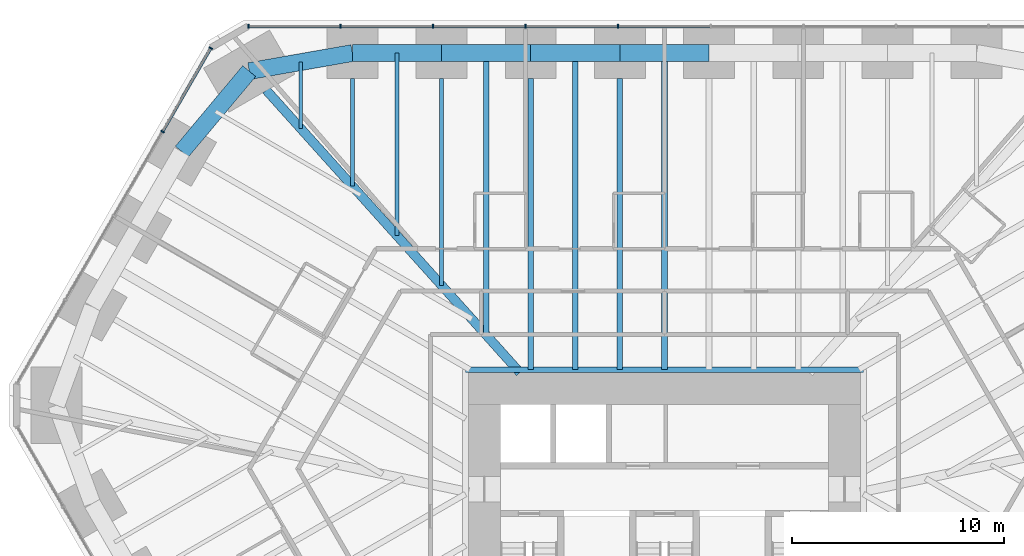
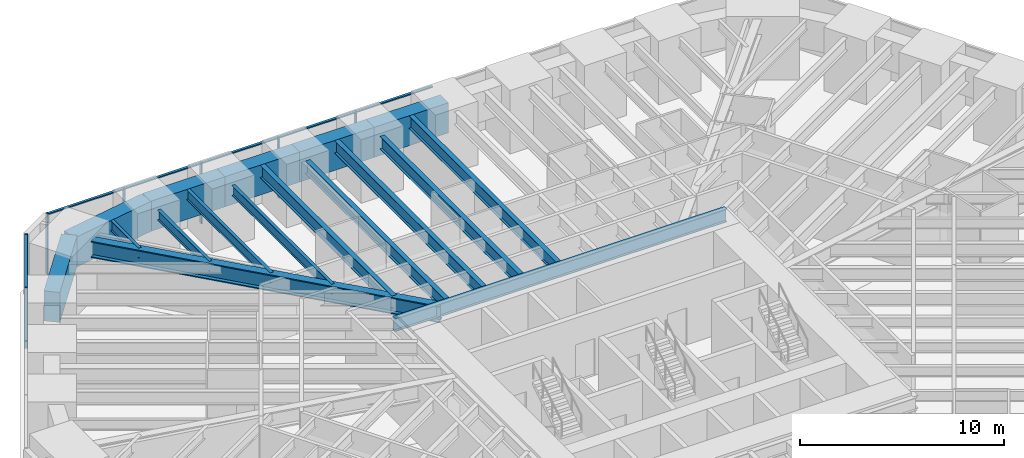
# One storey, part 8 of 17: 17 beams, 13 members, 2 elements without a shape of their own.
"""IFC4 building model written with IfcOpenShell, lengths in metres."""

from ifc_helpers import new_model, si_unit, direction, frame, origin, origin_2d, place, context, subcontext, project, spatial, rectangle, i_section, extrude, material, material_profile, profile_set, type_object, element, aggregate, save


model = new_model("IFC4")

# Units and contexts
model_context = context("Model", 3, precision=1e-05, world=origin(), true_north=direction((0.0, 1.0)))
body_context = subcontext(model_context, "Body", "Model", "MODEL_VIEW")
ifc_project = project(units=[si_unit("LENGTHUNIT", "METRE"), si_unit("AREAUNIT", "SQUARE_METRE"), si_unit("VOLUMEUNIT", "CUBIC_METRE"), si_unit("PLANEANGLEUNIT", "RADIAN"), si_unit("MASSUNIT", "GRAM", prefix="KILO")], contexts=[model_context])

# Site, building, storey
site_placement = place(None, origin())
site = spatial("IfcSite", under=ifc_project, at=site_placement, CompositionType="ELEMENT")
building_placement = place(site_placement, origin())
building = spatial("IfcBuilding", under=site, at=building_placement, Name="Sandreach Pilgrim Tower", CompositionType="ELEMENT")
storey_placement = place(building_placement, frame((0.0, 0.0, 49.60009765625)))
storey = spatial("IfcBuildingStorey", under=building, at=storey_placement, Name="L11", CompositionType="ELEMENT", Elevation=49.60009765625)

# Curtain wall, members
ifc_material_1 = material(Name="Aluminium framed curtain wall", Category="aluminium")
curtain_wall_type = type_object("IfcCurtainWallType", Name="Hostel tower curtain wall", PredefinedType="NOTDEFINED", material=ifc_material_1)
curtain_wall_1_placement = place(storey_placement, origin())
curtain_wall_1 = element("IfcCurtainWall", 1, at=curtain_wall_1_placement, inside=storey, type_object=curtain_wall_type, Name="CW-1 L11 N", PredefinedType="NOTDEFINED")
ifc_material_2 = material(Name="Aluminium extrusion", Category="aluminium")
ifc_material_profile_1 = material_profile(ifc_material_2, rectangle(XDim=0.06494140625, YDim=0.179931640625, at=origin_2d()), Name="CW-1M 65X180")
ifc_profile_set_1 = profile_set([ifc_material_profile_1], Name="Aluminium extrusion")
member_type_1 = type_object("IfcMemberType", Name="CW-1 mullion", PredefinedType="MULLION", material=ifc_profile_set_1)
member_1_placement = place(storey_placement, frame((-19.6396484375, 23.94873046875, 0.0), z_axis=(0.0, 0.0, 1.0), x_axis=(1.0, 0.0, 0.0)))
member_1 = element("IfcMember", 2, at=member_1_placement, type_object=member_type_1, Name="CW-1 mullion 1", PredefinedType="MULLION", context=body_context, shape_type="SweptSolid", body=[
    extrude(rectangle(XDim=0.06494140625, YDim=0.179931640625, at=origin_2d()), origin(), (0.0, 0.0, 1.0), 3.639892578125),
])
member_2_placement = place(storey_placement, frame((-15.300537109375, 23.94873046875, 0.0), z_axis=(0.0, 0.0, 1.0), x_axis=(1.0, 0.0, 0.0)))
member_2 = element("IfcMember", 3, at=member_2_placement, type_object=member_type_1, Name="CW-1 mullion 2", PredefinedType="MULLION", context=body_context, shape_type="SweptSolid", body=[
    extrude(rectangle(XDim=0.06494140625, YDim=0.179931640625, at=origin_2d()), origin(), (0.0, 0.0, 1.0), 3.639892578125),
])
member_3_placement = place(storey_placement, frame((-10.928955078125, 23.94873046875, 0.0), z_axis=(0.0, 0.0, 1.0), x_axis=(1.0, 0.0, 0.0)))
member_3 = element("IfcMember", 4, at=member_3_placement, type_object=member_type_1, Name="CW-1 mullion 3", PredefinedType="MULLION", context=body_context, shape_type="SweptSolid", body=[
    extrude(rectangle(XDim=0.06494140625, YDim=0.179931640625, at=origin_2d()), origin(), (0.0, 0.0, 1.0), 3.639892578125),
])
member_4_placement = place(storey_placement, frame((-6.557373046875, 23.94873046875, 0.0), z_axis=(0.0, 0.0, 1.0), x_axis=(1.0, 0.0, 0.0)))
member_4 = element("IfcMember", 5, at=member_4_placement, type_object=member_type_1, Name="CW-1 mullion 4", PredefinedType="MULLION", context=body_context, shape_type="SweptSolid", body=[
    extrude(rectangle(XDim=0.06494140625, YDim=0.179931640625, at=origin_2d()), origin(), (0.0, 0.0, 1.0), 3.639892578125),
])
member_5_placement = place(storey_placement, frame((-2.185791015625, 23.94873046875, 0.0), z_axis=(0.0, 0.0, 1.0), x_axis=(1.0, 0.0, 0.0)))
member_5 = element("IfcMember", 6, at=member_5_placement, type_object=member_type_1, Name="CW-1 mullion 5", PredefinedType="MULLION", context=body_context, shape_type="SweptSolid", body=[
    extrude(rectangle(XDim=0.06494140625, YDim=0.179931640625, at=origin_2d()), origin(), (0.0, 0.0, 1.0), 3.639892578125),
])

curtain_wall_2_placement = place(storey_placement, origin())
curtain_wall_2 = element("IfcCurtainWall", 7, at=curtain_wall_2_placement, inside=storey, type_object=curtain_wall_type, Name="CW-1 L11 NW", PredefinedType="NOTDEFINED")
member_6_placement = place(storey_placement, frame((-23.697265625, 18.97705078125, 0.0), z_axis=(0.0, 0.0, 1.0), x_axis=(0.5, 0.866025403784, 0.0)))
member_6 = element("IfcMember", 8, at=member_6_placement, type_object=member_type_1, Name="CW-1 mullion 4", PredefinedType="MULLION", context=body_context, shape_type="SweptSolid", body=[
    extrude(rectangle(XDim=0.06494140625, YDim=0.179931640625, at=origin_2d()), origin(), (0.0, 0.0, 1.0), 3.639892578125),
])
member_7_placement = place(storey_placement, frame((-21.42041015625, 22.920654296875, 0.0), z_axis=(0.0, 0.0, 1.0), x_axis=(0.5, 0.866025403784, 0.0)))
member_7 = element("IfcMember", 9, at=member_7_placement, type_object=member_type_1, Name="CW-1 mullion 5", PredefinedType="MULLION", context=body_context, shape_type="SweptSolid", body=[
    extrude(rectangle(XDim=0.06494140625, YDim=0.179931640625, at=origin_2d()), origin(), (0.0, 0.0, 1.0), 3.639892578125),
])

# Member
ifc_material_3 = material(Name="Aluminium extrusion", Category="aluminium")
ifc_material_profile_2 = material_profile(ifc_material_3, rectangle(XDim=0.139892578125, YDim=0.070068359375, at=origin_2d()), Name="CW-1T 140X70")
ifc_profile_set_2 = profile_set([ifc_material_profile_2], Name="Aluminium extrusion")
member_type_2 = type_object("IfcMemberType", Name="CW-1 transom", PredefinedType="USERDEFINED", material=ifc_profile_set_2)
member_8_placement = place(storey_placement, frame((-19.607177734375, 23.94873046875, 3.60498046875), z_axis=(1.0, 0.0, 0.0), x_axis=(0.0, 1.0, 0.0)))
member_8 = element("IfcMember", 10, at=member_8_placement, type_object=member_type_2, Name="CW-1 head transom 1", ObjectType="TRANSOM", PredefinedType="USERDEFINED", context=body_context, shape_type="SweptSolid", body=[
    extrude(rectangle(XDim=0.139892578125, YDim=0.070068359375, at=origin_2d()), origin(), (0.0, 0.0, 1.0), 4.274169921875),
])

member_9_placement = place(storey_placement, frame((-15.26806640625, 23.94873046875, 3.60498046875), z_axis=(1.0, 0.0, 0.0), x_axis=(0.0, 1.0, 0.0)))
member_9 = element("IfcMember", 11, at=member_9_placement, type_object=member_type_2, Name="CW-1 head transom 2", ObjectType="TRANSOM", PredefinedType="USERDEFINED", context=body_context, shape_type="SweptSolid", body=[
    extrude(rectangle(XDim=0.139892578125, YDim=0.070068359375, at=origin_2d()), origin(), (0.0, 0.0, 1.0), 4.306640625),
])

member_10_placement = place(storey_placement, frame((-10.896484375, 23.94873046875, 3.60498046875), z_axis=(1.0, 0.0, 0.0), x_axis=(0.0, 1.0, 0.0)))
member_10 = element("IfcMember", 12, at=member_10_placement, type_object=member_type_2, Name="CW-1 head transom 3", ObjectType="TRANSOM", PredefinedType="USERDEFINED", context=body_context, shape_type="SweptSolid", body=[
    extrude(rectangle(XDim=0.139892578125, YDim=0.070068359375, at=origin_2d()), origin(), (0.0, 0.0, 1.0), 4.306640625),
])

member_11_placement = place(storey_placement, frame((-6.52490234375, 23.94873046875, 3.60498046875), z_axis=(1.0, 0.0, 0.0), x_axis=(0.0, 1.0, 0.0)))
member_11 = element("IfcMember", 13, at=member_11_placement, type_object=member_type_2, Name="CW-1 head transom 4", ObjectType="TRANSOM", PredefinedType="USERDEFINED", context=body_context, shape_type="SweptSolid", body=[
    extrude(rectangle(XDim=0.139892578125, YDim=0.070068359375, at=origin_2d()), origin(), (0.0, 0.0, 1.0), 4.306640625),
])

member_12_placement = place(storey_placement, frame((-2.1533203125, 23.94873046875, 3.60498046875), z_axis=(1.0, 0.0, 0.0), x_axis=(0.0, 1.0, 0.0)))
member_12 = element("IfcMember", 14, at=member_12_placement, type_object=member_type_2, Name="CW-1 head transom 5", ObjectType="TRANSOM", PredefinedType="USERDEFINED", context=body_context, shape_type="SweptSolid", body=[
    extrude(rectangle(XDim=0.139892578125, YDim=0.070068359375, at=origin_2d()), origin(), (0.0, 0.0, 1.0), 4.306640625),
])

aggregate(curtain_wall_1, [member_1, member_2, member_3, member_4, member_5, member_8, member_9, member_10, member_11, member_12])

member_13_placement = place(storey_placement, frame((-23.680908203125, 19.005126953125, 3.60498046875), z_axis=(0.500017500808, 0.866015299452, 0.0), x_axis=(-0.866015299452, 0.500017500808, 0.0)))
member_13 = element("IfcMember", 15, at=member_13_placement, type_object=member_type_2, Name="CW-1 head transom 4", ObjectType="TRANSOM", PredefinedType="USERDEFINED", context=body_context, shape_type="SweptSolid", body=[
    extrude(rectangle(XDim=0.139892578125, YDim=0.070068359375, at=origin_2d()), origin(), (0.0, 0.0, 1.0), 4.488525390625),
])

aggregate(curtain_wall_2, [member_6, member_7, member_13])

# Beams
ifc_material_4 = material(Name="Steel ASTM A992 Grade 50", Category="steel")
ifc_material_profile_3 = material_profile(ifc_material_4, i_section(OverallWidth=0.2666015625, OverallDepth=0.77978515625, WebThickness=0.0166015625, FlangeThickness=0.030029296875, at=origin_2d()), Name="W30X148")
ifc_profile_set_3 = profile_set([ifc_material_profile_3], Name="Steel ASTM A992 Grade 50")
beam_type_1 = type_object("IfcBeamType", Name="Core edge beam W30X148", PredefinedType="BEAM", material=ifc_profile_set_3)
beam_1_placement = place(storey_placement, frame((-9.393310546875, 7.743408203125, 3.25), z_axis=(1.0, 0.0, 0.0), x_axis=(0.0, 1.0, 0.0)))
element("IfcBeam", 16, at=beam_1_placement, inside=storey, type_object=beam_type_1, Name="BM L11 CEN", PredefinedType="BEAM", context=body_context, shape_type="SweptSolid", body=[
    extrude(i_section(OverallWidth=0.2666015625, OverallDepth=0.77978515625, WebThickness=0.0166015625, FlangeThickness=0.030029296875, at=origin_2d()), origin(), (0.0, 0.0, 1.0), 18.78662109375),
])
ifc_material_5 = material(Name="Steel ASTM A992 Grade 50", Category="steel")
ifc_material_profile_4 = material_profile(ifc_material_5, i_section(OverallWidth=0.431884765625, OverallDepth=0.988037109375, WebThickness=0.034423828125, FlangeThickness=0.06201171875, at=origin_2d()), Name="W36X441")
ifc_profile_set_4 = profile_set([ifc_material_profile_4], Name="Steel ASTM A992 Grade 50")
beam_type_2 = type_object("IfcBeamType", Name="Corner girder W36X441", PredefinedType="BEAM", material=ifc_profile_set_4)
beam_2_placement = place(storey_placement, frame((-18.8046875, 20.94189453125, 3.145751953125), z_axis=(0.668127834846, -0.74404650144, 0.0), x_axis=(0.74404650144, 0.668127834846, 0.0)))
element("IfcBeam", 17, at=beam_2_placement, inside=storey, type_object=beam_type_2, Name="BM L11 CG39", PredefinedType="BEAM", context=body_context, shape_type="SweptSolid", body=[
    extrude(i_section(OverallWidth=0.431884765625, OverallDepth=0.988037109375, WebThickness=0.034423828125, FlangeThickness=0.06201171875, at=origin_2d()), origin(), (0.0, 0.0, 1.0), 17.931396484375),
])
ifc_material_6 = material(Name="Steel ASTM A992 Grade 50", Category="steel")
ifc_material_profile_5 = material_profile(ifc_material_6, i_section(OverallWidth=0.1787109375, OverallDepth=0.60205078125, WebThickness=0.010986328125, FlangeThickness=0.014892578125, at=origin_2d()), Name="W24X62")
ifc_profile_set_5 = profile_set([ifc_material_profile_5], Name="Steel ASTM A992 Grade 50")
beam_type_3 = type_object("IfcBeamType", Name="Floor beam W24X62", PredefinedType="BEAM", material=ifc_profile_set_5)
beam_3_placement = place(storey_placement, frame((-14.734619140625, 21.48876953125, 3.3388671875), z_axis=(0.0, -1.0, 0.0), x_axis=(1.0, 0.0, 0.0)))
element("IfcBeam", 18, at=beam_3_placement, inside=storey, type_object=beam_type_3, Name="BM L11 F01", PredefinedType="BEAM", context=body_context, shape_type="SweptSolid", body=[
    extrude(i_section(OverallWidth=0.1787109375, OverallDepth=0.60205078125, WebThickness=0.010986328125, FlangeThickness=0.014892578125, at=origin_2d()), origin(), (0.0, 0.0, 1.0), 5.079345703125),
])
beam_4_placement = place(storey_placement, frame((-10.52490234375, 21.48876953125, 3.3388671875), z_axis=(0.0, -1.0, 0.0), x_axis=(1.0, 0.0, 0.0)))
element("IfcBeam", 19, at=beam_4_placement, inside=storey, type_object=beam_type_3, Name="BM L11 F02", PredefinedType="BEAM", context=body_context, shape_type="SweptSolid", body=[
    extrude(i_section(OverallWidth=0.1787109375, OverallDepth=0.60205078125, WebThickness=0.010986328125, FlangeThickness=0.014892578125, at=origin_2d()), origin(), (0.0, 0.0, 1.0), 9.767822265625),
])
beam_5_placement = place(storey_placement, frame((-12.629638671875, 22.688720703125, 3.3388671875), z_axis=(0.0, -1.0, 0.0), x_axis=(1.0, 0.0, 0.0)))
element("IfcBeam", 20, at=beam_5_placement, inside=storey, type_object=beam_type_3, Name="BM L11 FM01", PredefinedType="BEAM", context=body_context, shape_type="SweptSolid", body=[
    extrude(i_section(OverallWidth=0.1787109375, OverallDepth=0.60205078125, WebThickness=0.010986328125, FlangeThickness=0.014892578125, at=origin_2d()), origin(), (0.0, 0.0, 1.0), 8.62353515625),
])
beam_6_placement = place(storey_placement, frame((-17.17041015625, 22.26171875, 3.3388671875), z_axis=(0.0, -1.0, 0.0), x_axis=(1.0, 0.0, 0.0)))
element("IfcBeam", 21, at=beam_6_placement, inside=storey, type_object=beam_type_3, Name="BM L11 FM39", PredefinedType="BEAM", context=body_context, shape_type="SweptSolid", body=[
    extrude(i_section(OverallWidth=0.1787109375, OverallDepth=0.60205078125, WebThickness=0.010986328125, FlangeThickness=0.014892578125, at=origin_2d()), origin(), (0.0, 0.0, 1.0), 3.1396484375),
])
ifc_material_7 = material(Name="Steel ASTM A992 Grade 50", Category="steel")
ifc_material_profile_6 = material_profile(ifc_material_7, i_section(OverallWidth=0.2666015625, OverallDepth=0.761962890625, WebThickness=0.014404296875, FlangeThickness=0.021484375, at=origin_2d()), Name="W30X116")
ifc_profile_set_6 = profile_set([ifc_material_profile_6], Name="Steel ASTM A992 Grade 50")
beam_type_4 = type_object("IfcBeamType", Name="Floor beam W30X116", PredefinedType="BEAM", material=ifc_profile_set_6)
for number, where, z_axis, x_axis, name in (
    (22, (-6.31494140625, 21.48876953125, 3.2587890625), (0.0, -1.0, 0.0), (1.0, 0.0, 0.0), "BM L11 F03"),
    (23, (-2.10498046875, 21.48876953125, 3.2587890625), (0.0, -1.0, 0.0), (1.0, 0.0, 0.0), "BM L11 F04"),
):
    element("IfcBeam", number, at=place(storey_placement, frame(where, z_axis=z_axis, x_axis=x_axis)), inside=storey, type_object=beam_type_4, Name=name, PredefinedType="BEAM", context=body_context, shape_type="SweptSolid", body=[
        extrude(i_section(OverallWidth=0.2666015625, OverallDepth=0.761962890625, WebThickness=0.014404296875, FlangeThickness=0.021484375, at=origin_2d()), origin(), (0.0, 0.0, 1.0), 13.745361328125),
    ])
beam_7_placement = place(storey_placement, frame((-8.419921875, 22.688720703125, 3.2587890625), z_axis=(0.0, -1.0, 0.0), x_axis=(1.0, 0.0, 0.0)))
element("IfcBeam", 24, at=beam_7_placement, inside=storey, type_object=beam_type_4, Name="BM L11 FM02", PredefinedType="BEAM", context=body_context, shape_type="SweptSolid", body=[
    extrude(i_section(OverallWidth=0.2666015625, OverallDepth=0.761962890625, WebThickness=0.014404296875, FlangeThickness=0.021484375, at=origin_2d()), origin(), (0.0, 0.0, 1.0), 13.311767578125),
])
for number, where, z_axis, x_axis, name in (
    (25, (-4.2099609375, 22.688720703125, 3.2587890625), (0.0, -1.0, 0.0), (1.0, 0.0, 0.0), "BM L11 FM03"),
    (26, (0.0, 22.688720703125, 3.2587890625), (0.0, -1.0, 0.0), (1.0, 0.0, 0.0), "BM L11 FM04"),
):
    element("IfcBeam", number, at=place(storey_placement, frame(where, z_axis=z_axis, x_axis=x_axis)), inside=storey, type_object=beam_type_4, Name=name, PredefinedType="BEAM", context=body_context, shape_type="SweptSolid", body=[
        extrude(i_section(OverallWidth=0.2666015625, OverallDepth=0.761962890625, WebThickness=0.014404296875, FlangeThickness=0.021484375, at=origin_2d()), origin(), (0.0, 0.0, 1.0), 14.9453125),
    ])
ifc_material_8 = material(Name="Concrete 10000 psi", Category="concrete")
ifc_material_profile_7 = material_profile(ifc_material_8, rectangle(XDim=0.800048828125, YDim=1.800048828125, at=origin_2d()), Name="RC800X1800")
ifc_profile_set_7 = profile_set([ifc_material_profile_7], Name="Concrete 10000 psi")
beam_type_5 = type_object("IfcBeamType", Name="Spandrel beam RC800X1800", PredefinedType="SPANDREL", material=ifc_profile_set_7)
beam_8_placement = place(storey_placement, frame((-14.734619140625, 22.688720703125, 2.739990234375), z_axis=(1.0, 0.0, 0.0), x_axis=(0.0, 1.0, 0.0)))
element("IfcBeam", 27, at=beam_8_placement, inside=storey, type_object=beam_type_5, Name="BM L11 SP01", PredefinedType="SPANDREL", context=body_context, shape_type="SweptSolid", body=[
    extrude(rectangle(XDim=0.800048828125, YDim=1.800048828125, at=origin_2d()), origin(), (0.0, 0.0, 1.0), 4.209716796875),
])
for number, where, z_axis, x_axis, name in (
    (28, (-10.52490234375, 22.688720703125, 2.739990234375), (1.0, 0.0, 0.0), (0.0, 1.0, 0.0), "BM L11 SP02"),
    (29, (-6.31494140625, 22.688720703125, 2.739990234375), (1.0, 0.0, 0.0), (0.0, 1.0, 0.0), "BM L11 SP03"),
    (30, (-2.10498046875, 22.688720703125, 2.739990234375), (1.0, 0.0, 0.0), (0.0, 1.0, 0.0), "BM L11 SP04"),
):
    element("IfcBeam", number, at=place(storey_placement, frame(where, z_axis=z_axis, x_axis=x_axis)), inside=storey, type_object=beam_type_5, Name=name, PredefinedType="SPANDREL", context=body_context, shape_type="SweptSolid", body=[
        extrude(rectangle(XDim=0.800048828125, YDim=1.800048828125, at=origin_2d()), origin(), (0.0, 0.0, 1.0), 4.2099609375),
    ])
beam_9_placement = place(storey_placement, frame((-22.787841796875, 18.031982421875, 2.739990234375), z_axis=(0.641665295114, 0.766984777584, 0.0), x_axis=(-0.766984777584, 0.641665295114, 0.0)))
element("IfcBeam", 31, at=beam_9_placement, inside=storey, type_object=beam_type_5, Name="BM L11 SP38", PredefinedType="SPANDREL", context=body_context, shape_type="SweptSolid", body=[
    extrude(rectangle(XDim=0.800048828125, YDim=1.800048828125, at=origin_2d()), origin(), (0.0, 0.0, 1.0), 4.9580078125),
])
beam_10_placement = place(storey_placement, frame((-19.6064453125, 21.834716796875, 2.739990234375), z_axis=(0.984981186582, 0.172661698355, 0.0), x_axis=(-0.172661698355, 0.984981186582, 0.0)))
element("IfcBeam", 32, at=beam_10_placement, inside=storey, type_object=beam_type_5, Name="BM L11 SP39", PredefinedType="SPANDREL", context=body_context, shape_type="SweptSolid", body=[
    extrude(rectangle(XDim=0.800048828125, YDim=1.800048828125, at=origin_2d()), origin(), (0.0, 0.0, 1.0), 4.946044921875),
])

save(model, "model.ifc")
